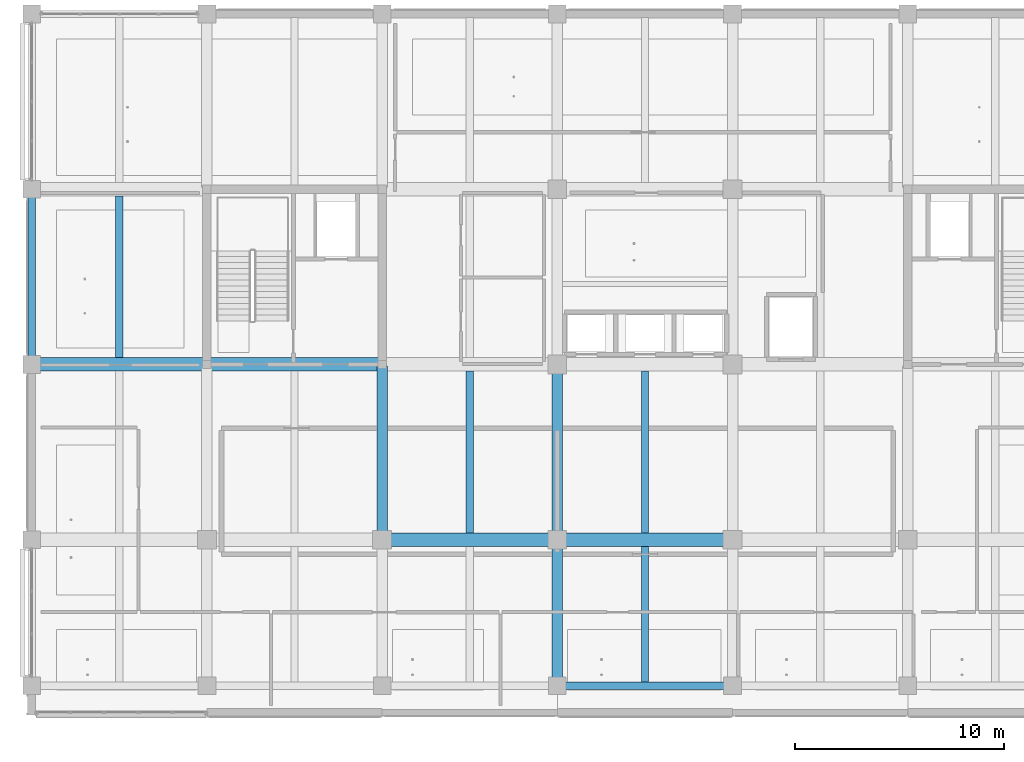
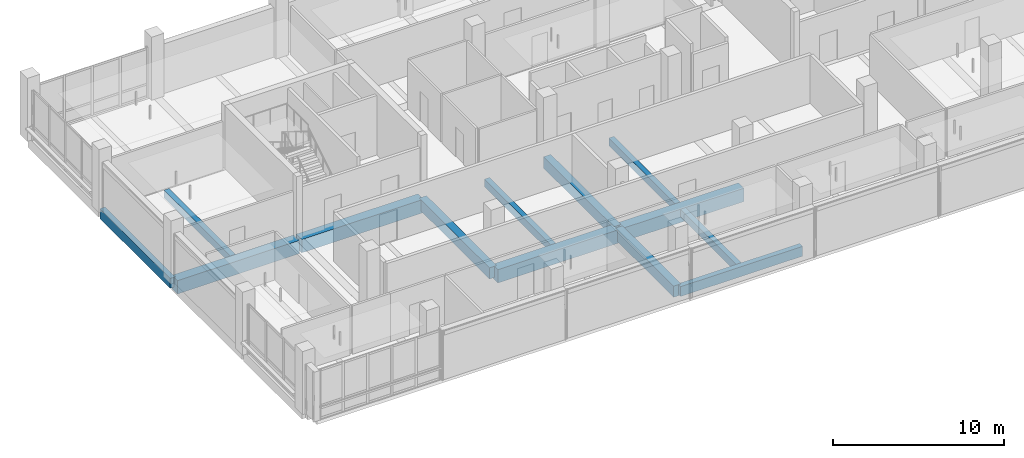
# One storey, part 3 of 36: 13 beams.
"""IFC4 building model written with IfcOpenShell, lengths in metres."""

from ifc_helpers import new_model, si_unit, direction, frame, origin, origin_2d, place, context, subcontext, project, spatial, rectangle, extrude, material, material_profile, profile_set, type_object, element, save


model = new_model("IFC4")

# Units and contexts
model_context = context("Model", 3, precision=1e-05, world=origin(), true_north=direction((0.0, 1.0)))
body_context = subcontext(model_context, "Body", "Model", "MODEL_VIEW")
ifc_project = project(units=[si_unit("LENGTHUNIT", "METRE"), si_unit("AREAUNIT", "SQUARE_METRE"), si_unit("VOLUMEUNIT", "CUBIC_METRE"), si_unit("PLANEANGLEUNIT", "RADIAN"), si_unit("MASSUNIT", "GRAM", prefix="KILO")], contexts=[model_context])

# Site, building, storey
site_placement = place(None, origin())
site = spatial("IfcSite", under=ifc_project, at=site_placement, CompositionType="ELEMENT")
building_placement = place(site_placement, origin())
building = spatial("IfcBuilding", under=site, at=building_placement, Name="Telukmera Botanical Conservatory", CompositionType="ELEMENT")
storey_placement = place(building_placement, frame((0.0, 0.0, 24.0)))
storey = spatial("IfcBuildingStorey", under=building, at=storey_placement, Name="L05", CompositionType="ELEMENT", Elevation=24.0)

# Beams
ifc_material_1 = material(Name="Concrete C40/50", Category="concrete")
ifc_material_profile_1 = material_profile(ifc_material_1, rectangle(XDim=0.64990234375, YDim=0.949951171875, at=origin_2d()), Name="RC 650x950")
ifc_profile_set_1 = profile_set([ifc_material_profile_1], Name="Concrete C40/50")
beam_type_1 = type_object("IfcBeamType", Name="Beam_B2", PredefinedType="BEAM", material=ifc_profile_set_1)
for number, where, z_axis, x_axis, name in (
    (1, (67.280029296875, 17.60009765625, -0.47509765625), (1.0, 0.0, 0.0), (0.0, 1.0, 0.0), "Tower Grid Beam L05"),
    (2, (75.679931640625, 17.60009765625, -0.47509765625), (1.0, 0.0, 0.0), (0.0, 1.0, 0.0), "Tower Grid Beam L05"),
    (3, (50.47998046875, 26.0, -0.47509765625), (1.0, 0.0, 0.0), (0.0, 1.0, 0.0), "Tower Grid Beam L05"),
):
    element("IfcBeam", number, at=place(storey_placement, frame(where, z_axis=z_axis, x_axis=x_axis)), inside=storey, type_object=beam_type_1, Name=name, PredefinedType="BEAM", context=body_context, shape_type="SweptSolid", body=[
        extrude(rectangle(XDim=0.64990234375, YDim=0.949951171875, at=origin_2d()), origin(), (0.0, 0.0, 1.0), 8.239990234375),
    ])
beam_1_placement = place(storey_placement, frame((58.8798828125, 26.0, -0.47509765625), z_axis=(1.0, 0.0, 0.0), x_axis=(0.0, 1.0, 0.0)))
element("IfcBeam", 4, at=beam_1_placement, inside=storey, type_object=beam_type_1, Name="Tower Grid Beam L05", PredefinedType="BEAM", context=body_context, shape_type="SweptSolid", body=[
    extrude(rectangle(XDim=0.64990234375, YDim=0.949951171875, at=origin_2d()), origin(), (0.0, 0.0, 1.0), 8.240234375),
])
ifc_material_profile_2 = material_profile(ifc_material_1, rectangle(XDim=0.35009765625, YDim=0.550048828125, at=origin_2d()), Name="RC 350x550")
ifc_profile_set_2 = profile_set([ifc_material_profile_2], Name="Concrete C40/50")
beam_type_2 = type_object("IfcBeamType", Name="Beam_B21", PredefinedType="JOIST", material=ifc_profile_set_2)
for number, where, z_axis, x_axis, name in (
    (5, (54.60009765625, 26.324951171875, -0.27490234375), (0.0, 1.0, 0.0), (-1.0, 0.0, 0.0), "Tower Secondary Floor Joist L05"),
    (6, (71.39990234375, 17.925048828125, -0.27490234375), (0.0, 1.0, 0.0), (-1.0, 0.0, 0.0), "Tower Secondary Floor Joist L05"),
):
    element("IfcBeam", number, at=place(storey_placement, frame(where, z_axis=z_axis, x_axis=x_axis)), inside=storey, type_object=beam_type_2, Name=name, PredefinedType="JOIST", context=body_context, shape_type="SweptSolid", body=[
        extrude(rectangle(XDim=0.35009765625, YDim=0.550048828125, at=origin_2d()), origin(), (0.0, 0.0, 1.0), 7.75),
    ])
beam_2_placement = place(storey_placement, frame((79.800048828125, 10.77490234375, -0.27490234375), z_axis=(0.0, 1.0, 0.0), x_axis=(-1.0, 0.0, 0.0)))
element("IfcBeam", 7, at=beam_2_placement, inside=storey, type_object=beam_type_2, Name="Tower Secondary Floor Joist L05", PredefinedType="JOIST", context=body_context, shape_type="SweptSolid", body=[
    extrude(rectangle(XDim=0.35009765625, YDim=0.550048828125, at=origin_2d()), origin(), (0.0, 0.0, 1.0), 6.5),
])
beam_3_placement = place(storey_placement, frame((79.800048828125, 17.925048828125, -0.27490234375), z_axis=(0.0, 1.0, 0.0), x_axis=(-1.0, 0.0, 0.0)))
element("IfcBeam", 8, at=beam_3_placement, inside=storey, type_object=beam_type_2, Name="Tower Secondary Floor Joist L05", PredefinedType="JOIST", context=body_context, shape_type="SweptSolid", body=[
    extrude(rectangle(XDim=0.35009765625, YDim=0.550048828125, at=origin_2d()), origin(), (0.0, 0.0, 1.0), 7.75),
])
ifc_material_profile_3 = material_profile(ifc_material_1, rectangle(XDim=0.5, YDim=0.800048828125, at=origin_2d()), Name="RC 500x800")
ifc_profile_set_3 = profile_set([ifc_material_profile_3], Name="Concrete C40/50")
beam_type_3 = type_object("IfcBeamType", Name="Beam_B5", PredefinedType="BEAM", material=ifc_profile_set_3)
beam_4_placement = place(storey_placement, frame((67.199951171875, 17.679931640625, -0.39990234375), z_axis=(0.0, 1.0, 0.0), x_axis=(-1.0, 0.0, 0.0)))
element("IfcBeam", 9, at=beam_4_placement, inside=storey, type_object=beam_type_3, Name="Tower Transverse Beam L05", PredefinedType="BEAM", context=body_context, shape_type="SweptSolid", body=[
    extrude(rectangle(XDim=0.5, YDim=0.800048828125, at=origin_2d()), origin(), (0.0, 0.0, 1.0), 8.239990234375),
])
beam_5_placement = place(storey_placement, frame((75.60009765625, 10.679931640625, -0.39990234375), z_axis=(0.0, 1.0, 0.0), x_axis=(-1.0, 0.0, 0.0)))
element("IfcBeam", 10, at=beam_5_placement, inside=storey, type_object=beam_type_3, Name="Tower Transverse Beam L05", PredefinedType="BEAM", context=body_context, shape_type="SweptSolid", body=[
    extrude(rectangle(XDim=0.5, YDim=0.800048828125, at=origin_2d()), origin(), (0.0, 0.0, 1.0), 6.840087890625),
])
beam_6_placement = place(storey_placement, frame((75.60009765625, 17.679931640625, -0.39990234375), z_axis=(0.0, 1.0, 0.0), x_axis=(-1.0, 0.0, 0.0)))
element("IfcBeam", 11, at=beam_6_placement, inside=storey, type_object=beam_type_3, Name="Tower Transverse Beam L05", PredefinedType="BEAM", context=body_context, shape_type="SweptSolid", body=[
    extrude(rectangle(XDim=0.5, YDim=0.800048828125, at=origin_2d()), origin(), (0.0, 0.0, 1.0), 8.239990234375),
])
ifc_material_2 = material(Name="Precast concrete C40/50", Category="concrete")
ifc_material_profile_4 = material_profile(ifc_material_2, rectangle(XDim=0.35009765625, YDim=0.699951171875, at=origin_2d()), Name="PC 350x700")
ifc_profile_set_4 = profile_set([ifc_material_profile_4], Name="Precast concrete C40/50")
beam_type_4 = type_object("IfcBeamType", Name="Beam_SP2", PredefinedType="SPANDREL", material=ifc_profile_set_4)
for number, where, z_axis, x_axis, name in (
    (12, (75.679931640625, 10.60009765625, -0.35009765625), (1.0, 0.0, 0.0), (0.0, 1.0, 0.0), "Tower Grid Beam L05"),
    (13, (50.39990234375, 26.080078125, -0.35009765625), (0.0, 1.0, 0.0), (-1.0, 0.0, 0.0), "Tower Transverse Beam L05"),
):
    element("IfcBeam", number, at=place(storey_placement, frame(where, z_axis=z_axis, x_axis=x_axis)), inside=storey, type_object=beam_type_4, Name=name, PredefinedType="SPANDREL", context=body_context, shape_type="SweptSolid", body=[
        extrude(rectangle(XDim=0.35009765625, YDim=0.699951171875, at=origin_2d()), origin(), (0.0, 0.0, 1.0), 8.239990234375),
    ])

save(model, "model.ifc")
